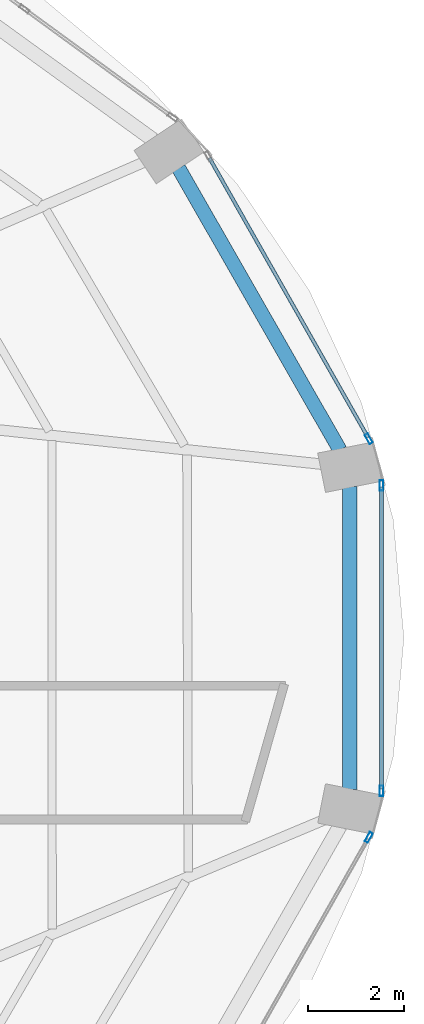
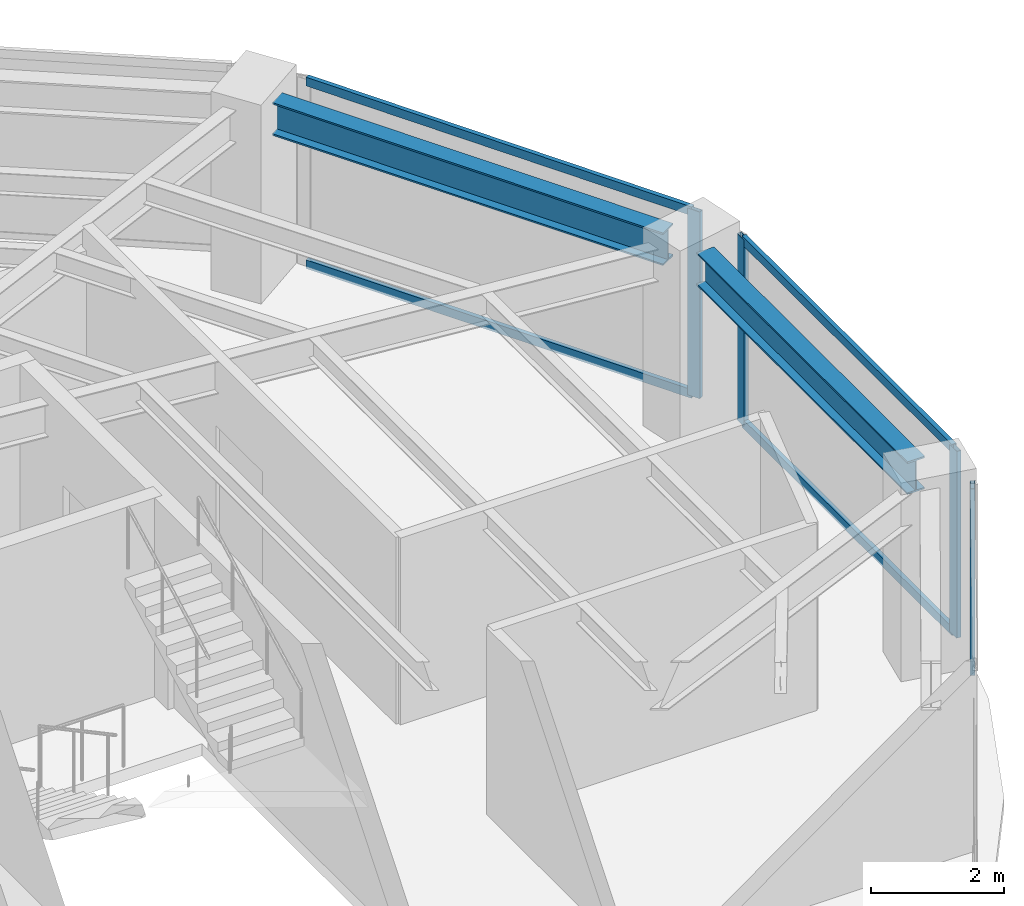
# One storey, part 14 of 24: 8 members, 2 beams, 3 elements without a shape of their own.
"""IFC4 building model written with IfcOpenShell, lengths in metres."""

from ifc_helpers import new_model, si_unit, direction, frame, origin, origin_2d, place, context, subcontext, project, spatial, hollow_rectangle, i_section, extrude, material, layer, layer_set, material_profile, profile_set, type_object, element, aggregate, save


model = new_model("IFC4")

# Units and contexts
model_context = context("Model", 3, precision=1e-05, world=origin(), true_north=direction((0.0, 1.0)))
body_context = subcontext(model_context, "Body", "Model", "MODEL_VIEW")
ifc_project = project(units=[si_unit("LENGTHUNIT", "METRE"), si_unit("AREAUNIT", "SQUARE_METRE"), si_unit("VOLUMEUNIT", "CUBIC_METRE"), si_unit("PLANEANGLEUNIT", "RADIAN"), si_unit("MASSUNIT", "GRAM", prefix="KILO")], contexts=[model_context])

# Site, building, storey
site_placement = place(None, origin())
site = spatial("IfcSite", under=ifc_project, at=site_placement, CompositionType="ELEMENT")
building_placement = place(site_placement, origin())
building = spatial("IfcBuilding", under=site, at=building_placement, Name="Lazwardi Medical Tower", CompositionType="ELEMENT")
storey_placement = place(building_placement, frame((0.0, 0.0, 118.22412109375)))
storey = spatial("IfcBuildingStorey", under=building, at=storey_placement, Name="L30", CompositionType="ELEMENT", Elevation=118.22412109375)

# Beams
ifc_material_1 = material(Name="Steel S355", Category="steel")
ifc_material_profile_1 = material_profile(ifc_material_1, i_section(OverallWidth=0.300048828125, OverallDepth=0.60009765625, WebThickness=0.015380859375, FlangeThickness=0.030029296875, at=origin_2d()), Name="HEB 600")
ifc_profile_set_1 = profile_set([ifc_material_profile_1], Name="Steel S355")
beam_type = type_object("IfcBeamType", Name="BM-RB-Z2", PredefinedType="BEAM", material=ifc_profile_set_1)
beam_1_placement = place(storey_placement, frame((60.86279296875, 27.22998046875, 3.1279296875), z_axis=(0.0, 1.0, 0.0), x_axis=(-1.0, 0.0, 0.0)))
element("IfcBeam", 1, at=beam_1_placement, inside=storey, type_object=beam_type, Name="Ring beam RB-03 B04 L30", PredefinedType="BEAM", context=body_context, shape_type="SweptSolid", body=[
    extrude(i_section(OverallWidth=0.300048828125, OverallDepth=0.60009765625, WebThickness=0.015380859375, FlangeThickness=0.030029296875, at=origin_2d()), origin(), (0.0, 0.0, 1.0), 6.33984375),
])
beam_2_placement = place(storey_placement, frame((60.6591796875, 34.335693359375, 3.1279296875), z_axis=(-0.496637551254, 0.867958030486, 0.0), x_axis=(-0.867958030486, -0.496637551254, 0.0)))
element("IfcBeam", 2, at=beam_2_placement, inside=storey, type_object=beam_type, Name="Ring beam RB-03 B05 L30", PredefinedType="BEAM", context=body_context, shape_type="SweptSolid", body=[
    extrude(i_section(OverallWidth=0.300048828125, OverallDepth=0.60009765625, WebThickness=0.015380859375, FlangeThickness=0.030029296875, at=origin_2d()), origin(), (0.0, 0.0, 1.0), 6.801025390625),
])

# Curtain wall, member
ifc_material_2 = material(Name="Anodised bronze aluminium and solar control glazing", Category="aluminium")
ifc_layer = layer(ifc_material_2, 0.195068359375)
ifc_layer_set = layer_set([ifc_layer], Name="Anodised bronze aluminium and solar control glazing")
curtain_wall_type = type_object("IfcCurtainWallType", Name="CW-SYS-03", PredefinedType="NOTDEFINED", material=ifc_layer_set)
curtain_wall_1_placement = place(storey_placement, origin())
curtain_wall_1 = element("IfcCurtainWall", 3, at=curtain_wall_1_placement, inside=storey, type_object=curtain_wall_type, Name="L30 Unitised bronze curtain wall CW-03", PredefinedType="NOTDEFINED")
ifc_material_3 = material(Name="Anodised bronze aluminium", Category="aluminium")
ifc_material_profile_2 = material_profile(ifc_material_3, hollow_rectangle(XDim=0.074951171875, YDim=0.219970703125, WallThickness=0.00390625, at=origin_2d()), Name="ALU-MULLION 220x75x4")
ifc_profile_set_2 = profile_set([ifc_material_profile_2], Name="Anodised bronze aluminium")
member_type_1 = type_object("IfcMemberType", Name="CW-MUL-01", PredefinedType="MULLION", material=ifc_profile_set_2)
member_1_placement = place(storey_placement, frame((61.2626953125, 26.22607421875, 0.0), z_axis=(0.0, 0.0, 1.0), x_axis=(-0.869687265712, 0.493603140041, 0.0)))
member_1 = element("IfcMember", 4, at=member_1_placement, type_object=member_type_1, Name="CW-03 mullion 2", PredefinedType="MULLION", context=body_context, shape_type="SweptSolid", body=[
    extrude(hollow_rectangle(XDim=0.074951171875, YDim=0.219970703125, WallThickness=0.00390625, at=origin_2d()), origin(), (0.0, 0.0, 1.0), 3.427978515625),
])
aggregate(curtain_wall_1, [member_1])

# Curtain wall, members
curtain_wall_2_placement = place(storey_placement, origin())
curtain_wall_2 = element("IfcCurtainWall", 5, at=curtain_wall_2_placement, inside=storey, type_object=curtain_wall_type, Name="L30 Unitised bronze curtain wall CW-03", PredefinedType="NOTDEFINED")
member_2_placement = place(storey_placement, frame((61.528076171875, 27.20263671875, 0.0), z_axis=(0.0, 0.0, 1.0), x_axis=(-1.0, 0.0, 0.0)))
member_2 = element("IfcMember", 6, at=member_2_placement, type_object=member_type_1, Name="CW-03 mullion 1", PredefinedType="MULLION", context=body_context, shape_type="SweptSolid", body=[
    extrude(hollow_rectangle(XDim=0.074951171875, YDim=0.219970703125, WallThickness=0.00390625, at=origin_2d()), origin(), (0.0, 0.0, 1.0), 3.427978515625),
])
member_3_placement = place(storey_placement, frame((61.528076171875, 33.597412109375, 0.0), z_axis=(0.0, 0.0, 1.0), x_axis=(-1.0, 0.0, 0.0)))
member_3 = element("IfcMember", 7, at=member_3_placement, type_object=member_type_1, Name="CW-03 mullion 2", PredefinedType="MULLION", context=body_context, shape_type="SweptSolid", body=[
    extrude(hollow_rectangle(XDim=0.074951171875, YDim=0.219970703125, WallThickness=0.00390625, at=origin_2d()), origin(), (0.0, 0.0, 1.0), 3.427978515625),
])

# Curtain wall, member
curtain_wall_3_placement = place(storey_placement, origin())
curtain_wall_3 = element("IfcCurtainWall", 8, at=curtain_wall_3_placement, inside=storey, type_object=curtain_wall_type, Name="L30 Unitised bronze curtain wall CW-03", PredefinedType="NOTDEFINED")
member_4_placement = place(storey_placement, frame((61.2626953125, 34.57373046875, 0.0), z_axis=(0.0, 0.0, 1.0), x_axis=(-0.869687265712, -0.493603140041, 0.0)))
member_4 = element("IfcMember", 9, at=member_4_placement, type_object=member_type_1, Name="CW-03 mullion 1", PredefinedType="MULLION", context=body_context, shape_type="SweptSolid", body=[
    extrude(hollow_rectangle(XDim=0.074951171875, YDim=0.219970703125, WallThickness=0.00390625, at=origin_2d()), origin(), (0.0, 0.0, 1.0), 3.427978515625),
])

# Member
ifc_material_profile_3 = material_profile(ifc_material_3, hollow_rectangle(XDim=0.074951171875, YDim=0.159912109375, WallThickness=0.00390625, at=origin_2d()), Name="ALU-TRANSOM 160x75x4")
ifc_profile_set_3 = profile_set([ifc_material_profile_3], Name="Anodised bronze aluminium")
member_type_2 = type_object("IfcMemberType", Name="CW-TRN-01", PredefinedType="USERDEFINED", material=ifc_profile_set_3)
member_5_placement = place(storey_placement, frame((61.528076171875, 27.239990234375, 0.037353515625), z_axis=(0.0, 1.0, 0.0), x_axis=(-1.0, 0.0, 0.0)))
member_5 = element("IfcMember", 10, at=member_5_placement, type_object=member_type_2, Name="CW-03 transom 1.1", ObjectType="TRANSOM", PredefinedType="USERDEFINED", context=body_context, shape_type="SweptSolid", body=[
    extrude(hollow_rectangle(XDim=0.074951171875, YDim=0.159912109375, WallThickness=0.00390625, at=origin_2d()), origin(), (0.0, 0.0, 1.0), 6.31982421875),
])

member_6_placement = place(storey_placement, frame((61.528076171875, 27.239990234375, 3.390380859375), z_axis=(0.0, 1.0, 0.0), x_axis=(-1.0, 0.0, 0.0)))
member_6 = element("IfcMember", 11, at=member_6_placement, type_object=member_type_2, Name="CW-03 transom 1.2", ObjectType="TRANSOM", PredefinedType="USERDEFINED", context=body_context, shape_type="SweptSolid", body=[
    extrude(hollow_rectangle(XDim=0.074951171875, YDim=0.159912109375, WallThickness=0.00390625, at=origin_2d()), origin(), (0.0, 0.0, 1.0), 6.31982421875),
])

aggregate(curtain_wall_2, [member_2, member_3, member_5, member_6])

member_7_placement = place(storey_placement, frame((61.244140625, 34.6064453125, 0.037353515625), z_axis=(-0.493614427365, 0.869680859337, 0.0), x_axis=(-0.869680859337, -0.493614427365, 0.0)))
member_7 = element("IfcMember", 12, at=member_7_placement, type_object=member_type_2, Name="CW-03 transom 1.1", ObjectType="TRANSOM", PredefinedType="USERDEFINED", context=body_context, shape_type="SweptSolid", body=[
    extrude(hollow_rectangle(XDim=0.074951171875, YDim=0.159912109375, WallThickness=0.00390625, at=origin_2d()), origin(), (0.0, 0.0, 1.0), 6.72314453125),
])

member_8_placement = place(storey_placement, frame((61.244140625, 34.6064453125, 3.390380859375), z_axis=(-0.493614427365, 0.869680859337, 0.0), x_axis=(-0.869680859337, -0.493614427365, 0.0)))
member_8 = element("IfcMember", 13, at=member_8_placement, type_object=member_type_2, Name="CW-03 transom 1.2", ObjectType="TRANSOM", PredefinedType="USERDEFINED", context=body_context, shape_type="SweptSolid", body=[
    extrude(hollow_rectangle(XDim=0.074951171875, YDim=0.159912109375, WallThickness=0.00390625, at=origin_2d()), origin(), (0.0, 0.0, 1.0), 6.72314453125),
])

aggregate(curtain_wall_3, [member_4, member_7, member_8])

save(model, "model.ifc")
